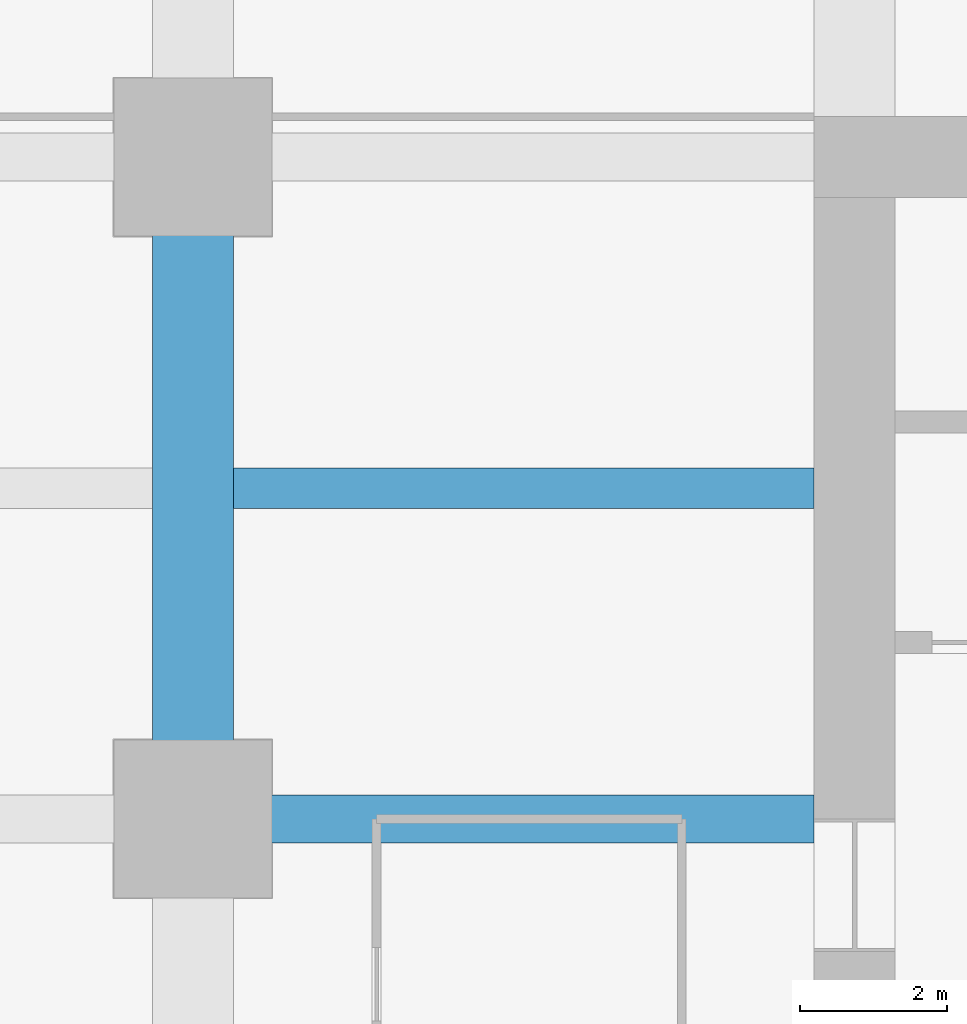
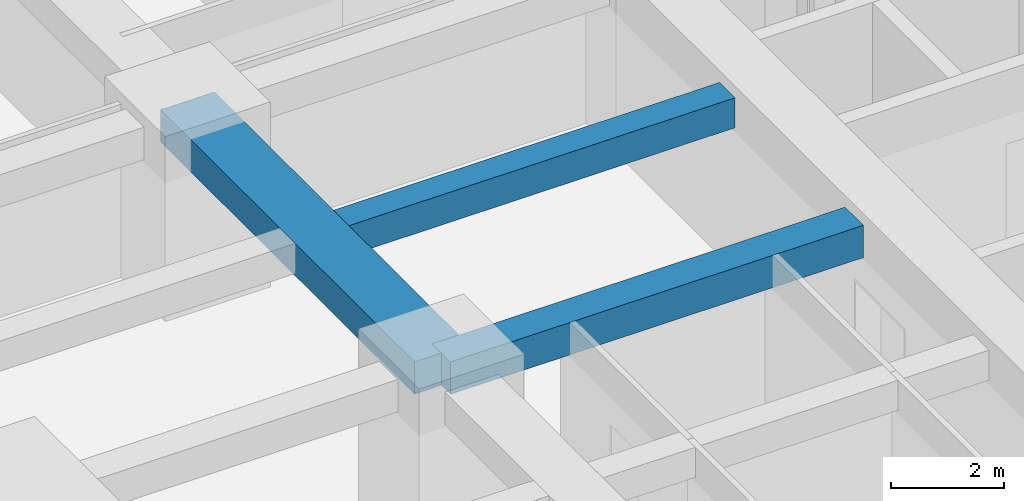
# One storey, part 12 of 41: 3 beams.
"""IFC4 building model written with IfcOpenShell, lengths in metres."""

from ifc_helpers import new_model, si_unit, direction, frame, origin, origin_2d, place, context, subcontext, project, spatial, rectangle, extrude, material, material_profile, profile_set, type_object, element, save


model = new_model("IFC4")

# Units and contexts
model_context = context("Model", 3, precision=1e-05, world=origin(), true_north=direction((0.0, 1.0)))
body_context = subcontext(model_context, "Body", "Model", "MODEL_VIEW")
ifc_project = project(units=[si_unit("LENGTHUNIT", "METRE"), si_unit("AREAUNIT", "SQUARE_METRE"), si_unit("VOLUMEUNIT", "CUBIC_METRE"), si_unit("PLANEANGLEUNIT", "RADIAN"), si_unit("MASSUNIT", "GRAM", prefix="KILO")], contexts=[model_context])

# Site, building, storey
site_placement = place(None, origin())
site = spatial("IfcSite", under=ifc_project, at=site_placement, CompositionType="ELEMENT")
building_placement = place(site_placement, origin())
building = spatial("IfcBuilding", under=site, at=building_placement, Name="Zorevar Civic Tower", CompositionType="ELEMENT")
storey_placement = place(building_placement, frame((0.0, 0.0, 89.0)))
storey = spatial("IfcBuildingStorey", under=building, at=storey_placement, Name="L21", CompositionType="ELEMENT", Elevation=89.0)

# Beams
ifc_material_1 = material(Name="Concrete C50/60", Category="concrete")
ifc_material_profile_1 = material_profile(ifc_material_1, rectangle(XDim=1.10009765625, YDim=0.699951171875, at=origin_2d()), Name="RC 1100x700")
ifc_profile_set_1 = profile_set([ifc_material_profile_1], Name="Concrete C50/60")
beam_type_1 = type_object("IfcBeamType", Name="Beam RC 1100x700", PredefinedType="BEAM", material=ifc_profile_set_1)
beam_1_placement = place(storey_placement, frame((9.0, 27.0, 3.39990234375), z_axis=(0.0, 1.0, 0.0), x_axis=(-1.0, 0.0, 0.0)))
element("IfcBeam", 1, at=beam_1_placement, inside=storey, type_object=beam_type_1, Name="Girder L22", PredefinedType="BEAM", context=body_context, shape_type="SweptSolid", body=[
    extrude(rectangle(XDim=1.10009765625, YDim=0.699951171875, at=origin_2d()), origin(), (0.0, 0.0, 1.0), 9.0),
])
ifc_material_2 = material(Name="Concrete C50/60", Category="concrete")
ifc_material_profile_2 = material_profile(ifc_material_2, rectangle(XDim=0.550048828125, YDim=0.64990234375, at=origin_2d()), Name="RC 550x650")
ifc_profile_set_2 = profile_set([ifc_material_profile_2], Name="Concrete C50/60")
beam_type_2 = type_object("IfcBeamType", Name="Beam RC 550x650", PredefinedType="BEAM", material=ifc_profile_set_2)
beam_2_placement = place(storey_placement, frame((9.550048828125, 31.5, 3.425048828125), z_axis=(1.0, 0.0, 0.0), x_axis=(0.0, 1.0, 0.0)))
element("IfcBeam", 2, at=beam_2_placement, inside=storey, type_object=beam_type_2, Name="Secondary beam L22", PredefinedType="BEAM", context=body_context, shape_type="SweptSolid", body=[
    extrude(rectangle(XDim=0.550048828125, YDim=0.64990234375, at=origin_2d()), origin(), (0.0, 0.0, 1.0), 7.89990234375),
])
ifc_material_3 = material(Name="Concrete C50/60", Category="concrete")
ifc_material_profile_3 = material_profile(ifc_material_3, rectangle(XDim=0.64990234375, YDim=0.699951171875, at=origin_2d()), Name="RC 650x700")
ifc_profile_set_3 = profile_set([ifc_material_profile_3], Name="Concrete C50/60")
beam_type_3 = type_object("IfcBeamType", Name="Beam RC 650x700", PredefinedType="BEAM", material=ifc_profile_set_3)
beam_3_placement = place(storey_placement, frame((9.0, 27.0, 3.39990234375), z_axis=(1.0, 0.0, 0.0), x_axis=(0.0, 1.0, 0.0)))
element("IfcBeam", 3, at=beam_3_placement, inside=storey, type_object=beam_type_3, Name="Girder L22", PredefinedType="BEAM", context=body_context, shape_type="SweptSolid", body=[
    extrude(rectangle(XDim=0.64990234375, YDim=0.699951171875, at=origin_2d()), origin(), (0.0, 0.0, 1.0), 8.449951171875),
])

save(model, "model.ifc")
